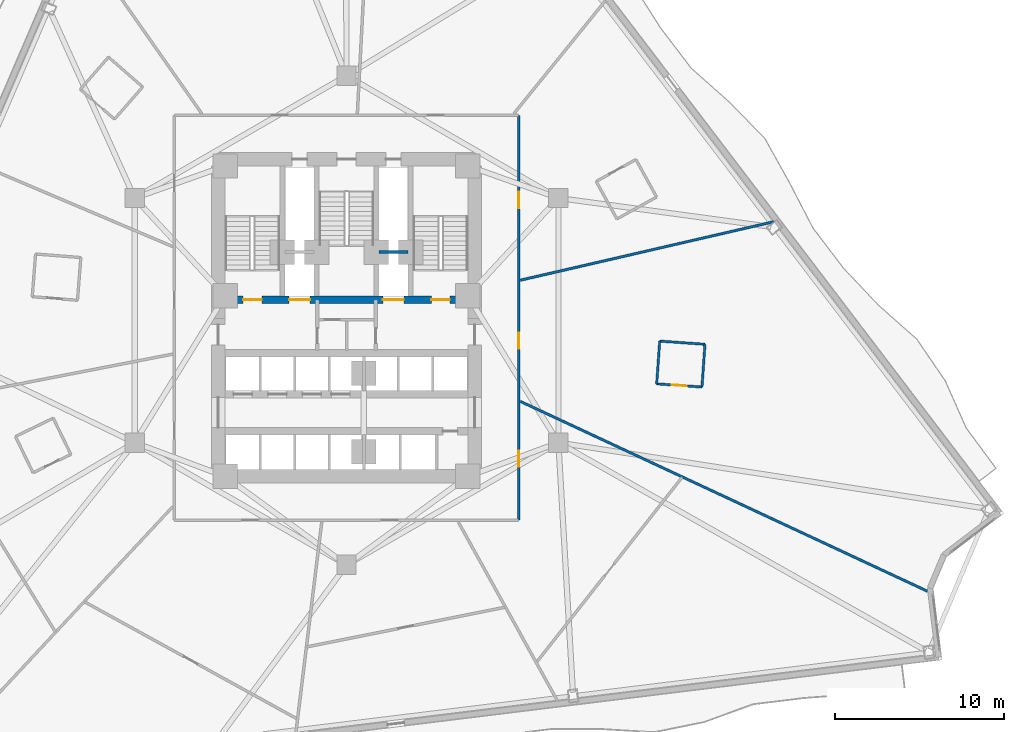
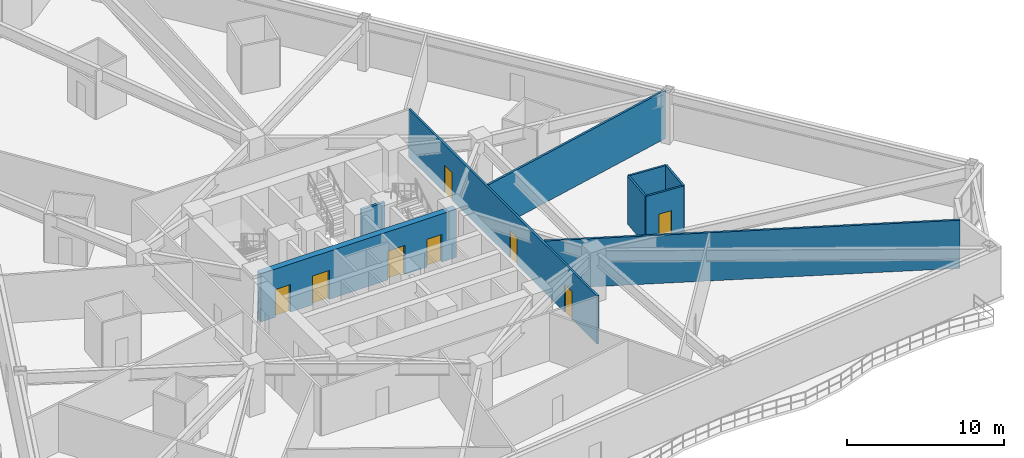
# One storey, part 9 of 17: 9 walls, 8 doors, 8 openings.
"""IFC4 building model written with IfcOpenShell, lengths in metres."""

import ifcopenshell
import ifcopenshell.guid

model = None  # the IFC model being written
_history = None  # IfcOwnerHistory: only IFC2X3 demands one
_inside = {}  # id of a spatial element -> (the spatial element, [elements in it])
_under = {}  # id of a project, library or spatial element -> (it, [spatial elements below it])
_declared = {}  # id of a project -> (the project, [libraries it declares])
_typed = {}  # id of a type object -> (the type object, [elements of that type])
_made_of = {}  # id of a material, layer set ... -> (it, [elements and type objects made of it])


def new_model(schema):
    """Start an empty IFC model of exactly this schema.

    Asked for "IFC4X3", IfcOpenShell would pick the latest addendum, in which some entities
    have other attributes; the version numbers below select the first issue.
    IFC2X3 requires an IfcOwnerHistory on every rooted entity: one is made here for all.
    """
    global model, _history
    if schema == "IFC4X3":
        model = ifcopenshell.file(schema_version=(4, 3, 0, 0))
    else:
        model = ifcopenshell.file(schema=schema)
    _inside.clear()
    _under.clear()
    _declared.clear()
    _typed.clear()
    _made_of.clear()
    _history = None
    if model.schema == "IFC2X3":
        org = make("IfcOrganization", Name="unknown")
        user = make(
            "IfcPersonAndOrganization",
            ThePerson=make("IfcPerson", FamilyName="unknown"),
            TheOrganization=org,
        )
        app = make(
            "IfcApplication",
            ApplicationDeveloper=org,
            Version="unknown",
            ApplicationFullName="unknown",
            ApplicationIdentifier="unknown",
        )
        _history = make(
            "IfcOwnerHistory",
            OwningUser=user,
            OwningApplication=app,
            ChangeAction="ADDED",
            CreationDate=0,
        )
    return model


def make(cls, **values):
    """One entity of the class cls with the attributes given. An attribute that is None is left unset."""
    return model.create_entity(
        cls, **{name: value for name, value in values.items() if value is not None}
    )


def rooted(cls, **values):
    """An entity with a GlobalId (a new one), such as an element, a storey or a relation."""
    return make(cls, GlobalId=ifcopenshell.guid.new(), OwnerHistory=_history, **values)


def si_unit(unit_type, name, prefix=None):
    """IfcSIUnit, for example si_unit("LENGTHUNIT", "METRE", prefix="MILLI")."""
    return make("IfcSIUnit", UnitType=unit_type, Prefix=prefix, Name=name)


def assignment(units):
    """IfcUnitAssignment: the units of a project."""
    return None if units is None else make("IfcUnitAssignment", Units=units)


def point(xyz):
    """IfcCartesianPoint."""
    return None if xyz is None else make("IfcCartesianPoint", Coordinates=xyz)


def direction(xyz):
    """IfcDirection."""
    return None if xyz is None else make("IfcDirection", DirectionRatios=xyz)


def frame(location, z_axis=None, x_axis=None):
    """IfcAxis2Placement3D, a coordinate frame: its origin and axes. An axis left out is left unset."""
    return make(
        "IfcAxis2Placement3D",
        Location=point(location),
        Axis=direction(z_axis),
        RefDirection=direction(x_axis),
    )


def frame_2d(location, x_axis=None):
    """IfcAxis2Placement2D, a coordinate frame in the plane: its origin and x axis."""
    return make(
        "IfcAxis2Placement2D", Location=point(location), RefDirection=direction(x_axis)
    )


def origin():
    """The frame at (0, 0, 0) with its axes left unset."""
    return frame((0.0, 0.0, 0.0))


def place(relative_to, where):
    """IfcLocalPlacement: puts the frame where relative to a parent placement (None: the world)."""
    return make(
        "IfcLocalPlacement", PlacementRelTo=relative_to, RelativePlacement=where
    )


def context(
    kind, dimensions, precision=None, world=None, true_north=None, identifier=None
):
    """IfcGeometricRepresentationContext, for example the 3D "Model" context."""
    return make(
        "IfcGeometricRepresentationContext",
        ContextIdentifier=identifier,
        ContextType=kind,
        CoordinateSpaceDimension=dimensions,
        Precision=precision,
        WorldCoordinateSystem=world,
        TrueNorth=true_north,
    )


def subcontext(parent, identifier, kind, view, scale=None):
    """IfcGeometricRepresentationSubContext, for example "Body" below "Model"."""
    return make(
        "IfcGeometricRepresentationSubContext",
        ContextIdentifier=identifier,
        ContextType=kind,
        ParentContext=parent,
        TargetScale=scale,
        TargetView=view,
    )


def project(units=None, contexts=None):
    """IfcProject with its units and contexts."""
    return rooted(
        "IfcProject",
        Name="project",
        RepresentationContexts=contexts,
        UnitsInContext=assignment(units),
    )


def spatial(cls, under=None, at=None, **own):
    """A site, building, storey or space (cls), placed at a placement, below another one or the project."""
    s = rooted(cls, ObjectPlacement=at, **own)
    if under is not None:
        _under.setdefault(under.id(), (under, []))[1].append(s)
    return s


def profile(cls, at=None, kind="AREA", **sizes):
    """A parametric profile (cls). Its sizes go by their IFC names, for example OverallWidth=200.0."""
    return make(cls, ProfileType=kind, Position=at, **sizes)


def rectangle(**sizes):
    """IfcRectangleProfileDef."""
    return profile("IfcRectangleProfileDef", **sizes)


def extrude(swept, where, along, depth):
    """IfcExtrudedAreaSolid: the profile swept, set in the frame where, extruded along a direction by depth."""
    return make(
        "IfcExtrudedAreaSolid",
        SweptArea=swept,
        Position=where,
        ExtrudedDirection=direction(along),
        Depth=depth,
    )


def shape(context_of_items, identifier, shape_type, items):
    """IfcShapeRepresentation: the items that make up one representation, for example the "Body"."""
    return make(
        "IfcShapeRepresentation",
        ContextOfItems=context_of_items,
        RepresentationIdentifier=identifier,
        RepresentationType=shape_type,
        Items=items,
    )


def material(Name=None, Category=None):
    """IfcMaterial."""
    return make("IfcMaterial", Name=Name, Category=Category)


def layer(
    of_material, thickness, ventilated=None, Name=None, Category=None, Priority=None
):
    """IfcMaterialLayer: one layer of a wall or slab, of a material (None: an air gap)."""
    return make(
        "IfcMaterialLayer",
        Material=of_material,
        LayerThickness=thickness,
        IsVentilated=ventilated,
        Name=Name,
        Category=Category,
        Priority=Priority,
    )


def layer_set(layers, Name=None):
    """IfcMaterialLayerSet."""
    return make("IfcMaterialLayerSet", MaterialLayers=layers, LayerSetName=Name)


def made_of(thing, what):
    """Note that an element or type object is made of a material, layer set ...; save() writes the relation."""
    if what is not None:
        _made_of.setdefault(what.id(), (what, []))[1].append(thing)
    return thing


def type_object(cls, material=None, **own):
    """A type object (cls), such as IfcWallType, which elements share."""
    return made_of(rooted(cls, **own), material)


def element(
    cls,
    number,
    at=None,
    inside=None,
    cuts=None,
    type_object=None,
    material=None,
    context=None,
    identifier="Body",
    shape_type=None,
    held_by="IfcProductDefinitionShape",
    body=None,
    shapes=None,
    **own,
):
    """One element of the class cls, such as IfcWall. Its Tag is "e" and its number.

    at: its placement. inside: the storey or other place that contains it. cuts: it is an
    opening in that element (IfcRelVoidsElement). A single representation is given by context,
    identifier, shape_type and body (its items); several are given by shapes. held_by: the class
    of the entity that holds the representations. save() writes the other relations.
    """
    e = rooted(cls, Tag="e%d" % number, ObjectPlacement=at, **own)
    if body is not None:
        shapes = [shape(context, identifier, shape_type, body)]
    if shapes is not None:
        e.Representation = make(held_by, Representations=shapes)
    if inside is not None:
        _inside.setdefault(inside.id(), (inside, []))[1].append(e)
    if cuts is not None:
        rooted(
            "IfcRelVoidsElement", RelatingBuildingElement=cuts, RelatedOpeningElement=e
        )
    if type_object is not None:
        _typed.setdefault(type_object.id(), (type_object, []))[1].append(e)
    return made_of(e, material)


def fill(opening, filler):
    """IfcRelFillsElement: the door or window that sits in an opening."""
    return rooted(
        "IfcRelFillsElement",
        RelatingOpeningElement=opening,
        RelatedBuildingElement=filler,
    )


def aggregate(whole, parts):
    """IfcRelAggregates: a whole, such as a stair, and the parts it consists of."""
    return rooted("IfcRelAggregates", RelatingObject=whole, RelatedObjects=parts)


def save(model, path):
    """Write the relations noted so far, then the file.

    IfcRelAggregates (storeys below a building ...), IfcRelContainedInSpatialStructure (elements
    in a storey), IfcRelDefinesByType, IfcRelAssociatesMaterial and IfcRelDeclares: one each for
    every whole, place, type object, material and project.
    """
    for whole, parts in _under.values():
        aggregate(whole, parts)
    for where, things in _inside.values():
        rooted(
            "IfcRelContainedInSpatialStructure",
            RelatedElements=things,
            RelatingStructure=where,
        )
    for kind, things in _typed.values():
        rooted("IfcRelDefinesByType", RelatedObjects=things, RelatingType=kind)
    for what, things in _made_of.values():
        rooted("IfcRelAssociatesMaterial", RelatedObjects=things, RelatingMaterial=what)
    for by, libraries in _declared.values():
        rooted("IfcRelDeclares", RelatingContext=by, RelatedDefinitions=libraries)
    model.write(path)


model = new_model("IFC4")

# Units and contexts
model_context = context("Model", 3, precision=1e-05, world=origin(), true_north=direction((0.0, 1.0)))
body_context = subcontext(model_context, "Body", "Model", "MODEL_VIEW")
ifc_project = project(units=[si_unit("LENGTHUNIT", "METRE"), si_unit("AREAUNIT", "SQUARE_METRE"), si_unit("VOLUMEUNIT", "CUBIC_METRE"), si_unit("PLANEANGLEUNIT", "RADIAN"), si_unit("MASSUNIT", "GRAM", prefix="KILO")], contexts=[model_context])

# Site, building, storey
site_placement = place(None, origin())
site = spatial("IfcSite", under=ifc_project, at=site_placement, CompositionType="ELEMENT")
building_placement = place(site_placement, origin())
building = spatial("IfcBuilding", under=site, at=building_placement, Name="Apsidion Concourse Tower", CompositionType="ELEMENT")
storey_placement = place(building_placement, frame((0.0, 0.0, 75.0)))
storey = spatial("IfcBuildingStorey", under=building, at=storey_placement, Name="L16", CompositionType="ELEMENT", Elevation=75.0)

# Wall, opening, door
ifc_material_1 = material(Name="Gypsum plasterboard partition")
ifc_layer_1 = layer(ifc_material_1, 0.139892578125)
ifc_layer_set_1 = layer_set([ifc_layer_1], Name="Gypsum plasterboard partition")
wall_type_1 = type_object("IfcWallType", Name="WL-INT-PAR-140", PredefinedType="PARTITIONING", material=ifc_layer_set_1)
wall_1_placement = place(storey_placement, frame((18.388427734375, -3.76513671875, 0.0), z_axis=(0.0, 0.0, 1.0), x_axis=(0.997561747926, -0.069789390844, 0.0)))
wall_1 = element("IfcWall", 1, at=wall_1_placement, inside=storey, type_object=wall_type_1, Name="L16 Interior Partition WL-L16-POD-ENS04-S1", PredefinedType="PARTITIONING", context=body_context, shape_type="SweptSolid", body=[
    extrude(rectangle(XDim=2.690185546875, YDim=0.139892578125, at=frame_2d((1.34521484375, 0.0))), origin(), (0.0, 0.0, 1.0), 3.75),
])
opening_1_placement = place(wall_1_placement, frame((0.905029296875, 0.0, 0.0)))
opening_1 = element("IfcOpeningElement", 2, at=opening_1_placement, cuts=wall_1, Name="Opening D-03L", PredefinedType="OPENING", context=body_context, shape_type="SweptSolid", body=[
    extrude(rectangle(XDim=0.8798828125, YDim=2.10009765625, at=frame_2d((0.43994140625, 1.050048828125))), frame((0.0, 0.080078125, 0.0), z_axis=(0.0, -1.0, 0.0), x_axis=(1.0, 0.0, 0.0)), (0.0, 0.0, 1.0), 0.159912109375),
])
ifc_material_2 = material(Name="Anodised aluminium EN AW-6063 T6", Category="aluminium")
door_type_1 = type_object("IfcDoorType", Name="DR-INT-D03L", OperationType="SINGLE_SWING_LEFT", PredefinedType="DOOR", material=ifc_material_2)
door_1_placement = place(opening_1_placement, origin())
door_1 = element("IfcDoor", 3, at=door_1_placement, inside=storey, type_object=door_type_1, Name="L16 Guest En-Suite Bathroom Door ENS04", OperationType="SINGLE_SWING_LEFT", OverallHeight=2.10009765625, OverallWidth=0.8798828125, PredefinedType="DOOR", context=body_context, shape_type="SweptSolid", body=[
    extrude(rectangle(XDim=0.8798828125, YDim=2.10009765625, at=frame_2d((0.43994140625, 1.050048828125))), frame((0.0, 0.02490234375, 0.0), z_axis=(0.0, -1.0, 0.0), x_axis=(1.0, 0.0, 0.0)), (0.0, 0.0, 1.0), 0.050048828125),
])
fill(opening_1, door_1)

# Walls
wall_2_placement = place(storey_placement, frame((21.072021484375, -3.952880859375, 0.0), z_axis=(0.0, 0.0, 1.0), x_axis=(0.069682789289, 0.997569200044, 0.0)))
element("IfcWall", 4, at=wall_2_placement, inside=storey, type_object=wall_type_1, Name="L16 Interior Partition WL-L16-POD-ENS04-S2", PredefinedType="PARTITIONING", context=body_context, shape_type="SweptSolid", body=[
    extrude(rectangle(XDim=2.5400390625, YDim=0.139892578125, at=frame_2d((1.27001953125, 0.0))), origin(), (0.0, 0.0, 1.0), 3.75),
])
wall_3_placement = place(storey_placement, frame((21.2490234375, -1.4189453125, 0.0), z_axis=(0.0, 0.0, 1.0), x_axis=(-0.997567621123, 0.06970538923, 0.0)))
element("IfcWall", 5, at=wall_3_placement, inside=storey, type_object=wall_type_1, Name="L16 Interior Partition WL-L16-POD-ENS04-S3", PredefinedType="PARTITIONING", context=body_context, shape_type="SweptSolid", body=[
    extrude(rectangle(XDim=2.68994140625, YDim=0.139892578125, at=frame_2d((1.344970703125, 0.0))), origin(), (0.0, 0.0, 1.0), 3.75),
])
wall_4_placement = place(storey_placement, frame((18.565673828125, -1.2314453125, 0.0), z_axis=(0.0, 0.0, 1.0), x_axis=(-0.069785126765, -0.997562046232, 0.0)))
element("IfcWall", 6, at=wall_4_placement, inside=storey, type_object=wall_type_1, Name="L16 Interior Partition WL-L16-POD-ENS04-S4", PredefinedType="PARTITIONING", context=body_context, shape_type="SweptSolid", body=[
    extrude(rectangle(XDim=2.539794921875, YDim=0.139892578125, at=frame_2d((1.27001953125, 0.0))), origin(), (0.0, 0.0, 1.0), 3.75),
])

# Wall, openings, doors
ifc_layer_2 = layer(ifc_material_1, 0.14990234375)
ifc_layer_set_2 = layer_set([ifc_layer_2], Name="Gypsum plasterboard partition")
wall_type_2 = type_object("IfcWallType", Name="WL-INT-PAR-150", PredefinedType="PARTITIONING", material=ifc_layer_set_2)
wall_5_placement = place(storey_placement, frame((10.199951171875, 12.14990234375, 0.0), z_axis=(0.0, 0.0, 1.0), x_axis=(0.0, -1.0, 0.0)))
wall_5 = element("IfcWall", 7, at=wall_5_placement, inside=storey, type_object=wall_type_2, Name="L16 Interior Partition WL-L16-CORR-02", PredefinedType="PARTITIONING", context=body_context, shape_type="SweptSolid", body=[
    extrude(rectangle(XDim=24.0, YDim=0.14990234375, at=frame_2d((12.0, 0.0))), origin(), (0.0, 0.0, 1.0), 3.75),
])
opening_2_placement = place(wall_5_placement, frame((19.87451171875, 0.0, 0.0)))
opening_2 = element("IfcOpeningElement", 8, at=opening_2_placement, cuts=wall_5, Name="Opening D-01R", PredefinedType="OPENING", context=body_context, shape_type="SweptSolid", body=[
    extrude(rectangle(XDim=0.949951171875, YDim=2.14990234375, at=frame_2d((0.47509765625, 1.074951171875))), frame((0.0, 0.0849609375, 0.0), z_axis=(0.0, -1.0, 0.0), x_axis=(1.0, 0.0, 0.0)), (0.0, 0.0, 1.0), 0.169921875),
])
opening_3_placement = place(wall_5_placement, frame((12.8857421875, 0.0, 0.0)))
opening_3 = element("IfcOpeningElement", 9, at=opening_3_placement, cuts=wall_5, Name="Opening D-01L", PredefinedType="OPENING", context=body_context, shape_type="SweptSolid", body=[
    extrude(rectangle(XDim=0.949951171875, YDim=2.14990234375, at=frame_2d((0.47509765625, 1.074951171875))), frame((0.0, 0.0849609375, 0.0), z_axis=(0.0, -1.0, 0.0), x_axis=(1.0, 0.0, 0.0)), (0.0, 0.0, 1.0), 0.169921875),
])
opening_4_placement = place(wall_5_placement, frame((4.541015625, 0.0, 0.0)))
opening_4 = element("IfcOpeningElement", 10, at=opening_4_placement, cuts=wall_5, Name="Opening D-01R", PredefinedType="OPENING", context=body_context, shape_type="SweptSolid", body=[
    extrude(rectangle(XDim=0.949951171875, YDim=2.14990234375, at=frame_2d((0.47509765625, 1.074951171875))), frame((0.0, 0.0849609375, 0.0), z_axis=(0.0, -1.0, 0.0), x_axis=(1.0, 0.0, 0.0)), (0.0, 0.0, 1.0), 0.169921875),
])
ifc_material_3 = material(Name="Brushed stainless steel 316", Category="steel")
door_type_2 = type_object("IfcDoorType", Name="DR-INT-D01L", OperationType="SINGLE_SWING_LEFT", PredefinedType="DOOR", material=ifc_material_3)
door_2_placement = place(opening_3_placement, origin())
door_2 = element("IfcDoor", 11, at=door_2_placement, inside=storey, type_object=door_type_2, Name="L16 Corridor Entry Door 05", OperationType="SINGLE_SWING_LEFT", OverallHeight=2.14990234375, OverallWidth=0.949951171875, PredefinedType="DOOR", context=body_context, shape_type="SweptSolid", body=[
    extrude(rectangle(XDim=0.949951171875, YDim=2.14990234375, at=frame_2d((0.47509765625, 1.074951171875))), frame((0.0, 0.02490234375, 0.0), z_axis=(0.0, -1.0, 0.0), x_axis=(1.0, 0.0, 0.0)), (0.0, 0.0, 1.0), 0.050048828125),
])
fill(opening_3, door_2)
door_type_3 = type_object("IfcDoorType", Name="DR-INT-D01R", OperationType="SINGLE_SWING_RIGHT", PredefinedType="DOOR", material=ifc_material_3)
door_3_placement = place(opening_2_placement, origin())
door_3 = element("IfcDoor", 12, at=door_3_placement, inside=storey, type_object=door_type_3, Name="L16 Corridor Entry Door 04", OperationType="SINGLE_SWING_RIGHT", OverallHeight=2.14990234375, OverallWidth=0.949951171875, PredefinedType="DOOR", context=body_context, shape_type="SweptSolid", body=[
    extrude(rectangle(XDim=0.949951171875, YDim=2.14990234375, at=frame_2d((0.47509765625, 1.074951171875))), frame((0.0, 0.02490234375, 0.0), z_axis=(0.0, -1.0, 0.0), x_axis=(1.0, 0.0, 0.0)), (0.0, 0.0, 1.0), 0.050048828125),
])
fill(opening_2, door_3)
door_4_placement = place(opening_4_placement, origin())
door_4 = element("IfcDoor", 13, at=door_4_placement, inside=storey, type_object=door_type_3, Name="L16 Corridor Entry Door 06", OperationType="SINGLE_SWING_RIGHT", OverallHeight=2.14990234375, OverallWidth=0.949951171875, PredefinedType="DOOR", context=body_context, shape_type="SweptSolid", body=[
    extrude(rectangle(XDim=0.949951171875, YDim=2.14990234375, at=frame_2d((0.47509765625, 1.074951171875))), frame((0.0, 0.02490234375, 0.0), z_axis=(0.0, -1.0, 0.0), x_axis=(1.0, 0.0, 0.0)), (0.0, 0.0, 1.0), 0.050048828125),
])
fill(opening_4, door_4)

# Walls
wall_6_placement = place(storey_placement, frame((10.304931640625, 2.379150390625, 0.0), z_axis=(0.0, 0.0, 1.0), x_axis=(0.974369050334, 0.224955448368, 0.0)))
element("IfcWall", 14, at=wall_6_placement, inside=storey, type_object=wall_type_2, Name="L16 Interior Partition WL-L16-RAD-01-1", PredefinedType="PARTITIONING", context=body_context, shape_type="SweptSolid", body=[
    extrude(rectangle(XDim=15.425048828125, YDim=0.14990234375, at=frame_2d((7.71240234375, 0.0))), origin(), (0.0, 0.0, 1.0), 3.75),
])
wall_7_placement = place(storey_placement, frame((10.304931640625, -4.805419921875, 0.0), z_axis=(0.0, 0.0, 1.0), x_axis=(0.906311005283, -0.42261136012, 0.0)))
element("IfcWall", 15, at=wall_7_placement, inside=storey, type_object=wall_type_2, Name="L16 Interior Partition WL-L16-RAD-10-1", PredefinedType="PARTITIONING", context=body_context, shape_type="SweptSolid", body=[
    extrude(rectangle(XDim=26.624755859375, YDim=0.14990234375, at=frame_2d((13.3125, 0.0))), origin(), (0.0, 0.0, 1.0), 3.75),
])
ifc_layer_3 = layer(ifc_material_1, 0.199951171875)
ifc_layer_set_3 = layer_set([ifc_layer_3], Name="Gypsum plasterboard partition")
wall_type_3 = type_object("IfcWallType", Name="WL-INT-PAR-200", PredefinedType="PARTITIONING", material=ifc_layer_set_3)
wall_8_placement = place(storey_placement, frame((1.919921875, 4.050048828125, 0.0), z_axis=(0.0, 0.0, 1.0), x_axis=(1.0, 0.0, 0.0)))
element("IfcWall", 16, at=wall_8_placement, inside=storey, type_object=wall_type_3, Name="L16 Interior Partition WL-L16-FF2-N", PredefinedType="PARTITIONING", context=body_context, shape_type="SweptSolid", body=[
    extrude(rectangle(XDim=1.72998046875, YDim=0.199951171875, at=frame_2d((0.864990234375, 0.0))), origin(), (0.0, 0.0, 1.0), 3.75),
])

# Wall, openings, doors
ifc_material_4 = material(Name="Concrete C60/75", Category="concrete")
ifc_layer_4 = layer(ifc_material_4, 0.449951171875)
ifc_layer_set_4 = layer_set([ifc_layer_4], Name="Concrete C60/75")
wall_type_4 = type_object("IfcWallType", Name="WL-SH-450", PredefinedType="SHEAR", material=ifc_layer_set_4)
wall_9_placement = place(storey_placement, frame((-7.199951171875, 1.22509765625, 0.0), z_axis=(0.0, 0.0, 1.0), x_axis=(1.0, 0.0, 0.0)))
wall_9 = element("IfcWall", 17, at=wall_9_placement, inside=storey, type_object=wall_type_4, Name="L16 Central Core Shear Wall M1", PredefinedType="SHEAR", context=body_context, shape_type="SweptSolid", body=[
    extrude(rectangle(XDim=14.39990234375, YDim=0.449951171875, at=frame_2d((7.199951171875, 0.0))), origin(), (0.0, 0.0, 1.0), 3.75),
])
opening_5_placement = place(wall_9_placement, frame((3.794921875, 0.0, 0.0)))
opening_5 = element("IfcOpeningElement", 18, at=opening_5_placement, cuts=wall_9, Name="Opening LD-FF", PredefinedType="OPENING", context=body_context, shape_type="SweptSolid", body=[
    extrude(rectangle(XDim=1.25, YDim=2.25, at=frame_2d((0.625, 1.125))), frame((0.0, 0.23486328125, 0.0), z_axis=(0.0, -1.0, 0.0), x_axis=(1.0, 0.0, 0.0)), (0.0, 0.0, 1.0), 0.469970703125),
])
opening_6_placement = place(wall_9_placement, frame((9.35498046875, 0.0, 0.0)))
opening_6 = element("IfcOpeningElement", 19, at=opening_6_placement, cuts=wall_9, Name="Opening LD-FF", PredefinedType="OPENING", context=body_context, shape_type="SweptSolid", body=[
    extrude(rectangle(XDim=1.25, YDim=2.25, at=frame_2d((0.625, 1.125))), frame((0.0, 0.23486328125, 0.0), z_axis=(0.0, -1.0, 0.0), x_axis=(1.0, 0.0, 0.0)), (0.0, 0.0, 1.0), 0.469970703125),
])
opening_7_placement = place(wall_9_placement, frame((1.074951171875, 0.0, 0.0)))
opening_7 = element("IfcOpeningElement", 20, at=opening_7_placement, cuts=wall_9, Name="Opening D-STL", PredefinedType="OPENING", context=body_context, shape_type="SweptSolid", body=[
    extrude(rectangle(XDim=1.10009765625, YDim=2.14990234375, at=frame_2d((0.550048828125, 1.074951171875))), frame((0.0, 0.23486328125, 0.0), z_axis=(0.0, -1.0, 0.0), x_axis=(1.0, 0.0, 0.0)), (0.0, 0.0, 1.0), 0.469970703125),
])
opening_8_placement = place(wall_9_placement, frame((12.22509765625, 0.0, 0.0)))
opening_8 = element("IfcOpeningElement", 21, at=opening_8_placement, cuts=wall_9, Name="Opening D-STR", PredefinedType="OPENING", context=body_context, shape_type="SweptSolid", body=[
    extrude(rectangle(XDim=1.10009765625, YDim=2.14990234375, at=frame_2d((0.550048828125, 1.074951171875))), frame((0.0, 0.23486328125, 0.0), z_axis=(0.0, -1.0, 0.0), x_axis=(1.0, 0.0, 0.0)), (0.0, 0.0, 1.0), 0.469970703125),
])
door_type_4 = type_object("IfcDoorType", Name="DR-INT-ST1L", OperationType="SINGLE_SWING_LEFT", PredefinedType="DOOR", material=ifc_material_3)
door_5_placement = place(opening_7_placement, origin())
door_5 = element("IfcDoor", 22, at=door_5_placement, inside=storey, type_object=door_type_4, Name="L16 Core Exit Stair ST1 Door", OperationType="SINGLE_SWING_LEFT", OverallHeight=2.14990234375, OverallWidth=1.10009765625, PredefinedType="DOOR", context=body_context, shape_type="SweptSolid", body=[
    extrude(rectangle(XDim=1.10009765625, YDim=2.14990234375, at=frame_2d((0.550048828125, 1.074951171875))), frame((0.0, 0.02490234375, 0.0), z_axis=(0.0, -1.0, 0.0), x_axis=(1.0, 0.0, 0.0)), (0.0, 0.0, 1.0), 0.050048828125),
])
fill(opening_7, door_5)
door_type_5 = type_object("IfcDoorType", Name="DR-INT-ST1R", OperationType="SINGLE_SWING_RIGHT", PredefinedType="DOOR", material=ifc_material_3)
door_6_placement = place(opening_8_placement, origin())
door_6 = element("IfcDoor", 23, at=door_6_placement, inside=storey, type_object=door_type_5, Name="L16 Core Exit Stair ST2 Door", OperationType="SINGLE_SWING_RIGHT", OverallHeight=2.14990234375, OverallWidth=1.10009765625, PredefinedType="DOOR", context=body_context, shape_type="SweptSolid", body=[
    extrude(rectangle(XDim=1.10009765625, YDim=2.14990234375, at=frame_2d((0.550048828125, 1.074951171875))), frame((0.0, 0.02490234375, 0.0), z_axis=(0.0, -1.0, 0.0), x_axis=(1.0, 0.0, 0.0)), (0.0, 0.0, 1.0), 0.050048828125),
])
fill(opening_8, door_6)
door_type_6 = type_object("IfcDoorType", Name="DR-LD-FSAE", OperationType="DOUBLE_DOOR_SLIDING", PredefinedType="DOOR", material=ifc_material_3)
door_7_placement = place(opening_5_placement, origin())
door_7 = element("IfcDoor", 24, at=door_7_placement, inside=storey, type_object=door_type_6, Name="L16 Lift Landing Door FF1", OperationType="DOUBLE_DOOR_SLIDING", OverallHeight=2.25, OverallWidth=1.25, PredefinedType="DOOR", context=body_context, shape_type="SweptSolid", body=[
    extrude(rectangle(XDim=1.25, YDim=2.25, at=frame_2d((0.625, 1.125))), frame((0.0, 0.02490234375, 0.0), z_axis=(0.0, -1.0, 0.0), x_axis=(1.0, 0.0, 0.0)), (0.0, 0.0, 1.0), 0.050048828125),
])
fill(opening_5, door_7)
door_8_placement = place(opening_6_placement, origin())
door_8 = element("IfcDoor", 25, at=door_8_placement, inside=storey, type_object=door_type_6, Name="L16 Lift Landing Door FF2", OperationType="DOUBLE_DOOR_SLIDING", OverallHeight=2.25, OverallWidth=1.25, PredefinedType="DOOR", context=body_context, shape_type="SweptSolid", body=[
    extrude(rectangle(XDim=1.25, YDim=2.25, at=frame_2d((0.625, 1.125))), frame((0.0, 0.02490234375, 0.0), z_axis=(0.0, -1.0, 0.0), x_axis=(1.0, 0.0, 0.0)), (0.0, 0.0, 1.0), 0.050048828125),
])
fill(opening_6, door_8)

save(model, "model.ifc")
